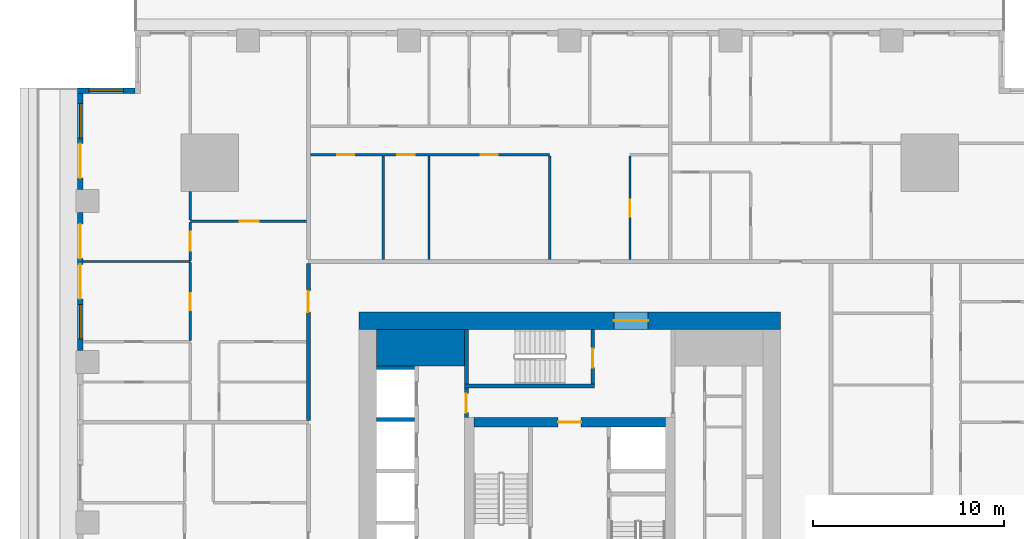
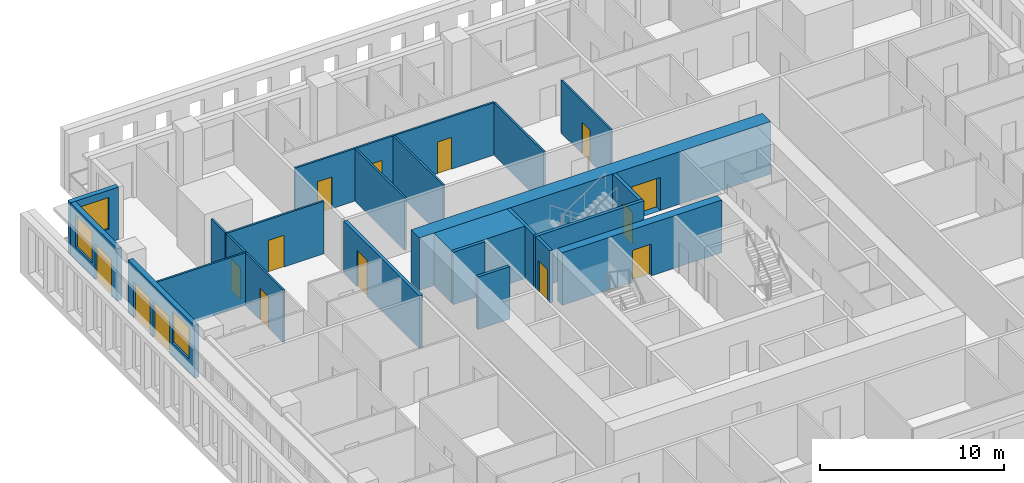
# One storey, part 7 of 15: 23 walls, 15 doors, 3 windows, 18 openings.
"""IFC4 building model written with IfcOpenShell, lengths in metres."""

from ifc_helpers import new_model, si_unit, direction, frame, frame_2d, origin, place, context, subcontext, project, spatial, rectangle, extrude, material, layer, layer_set, type_object, element, fill, save


model = new_model("IFC4")

# Units and contexts
model_context = context("Model", 3, precision=1e-05, world=origin(), true_north=direction((0.0, 1.0)))
body_context = subcontext(model_context, "Body", "Model", "MODEL_VIEW")
ifc_project = project(units=[si_unit("LENGTHUNIT", "METRE"), si_unit("AREAUNIT", "SQUARE_METRE"), si_unit("VOLUMEUNIT", "CUBIC_METRE"), si_unit("PLANEANGLEUNIT", "RADIAN"), si_unit("MASSUNIT", "GRAM", prefix="KILO")], contexts=[model_context])

# Site, building, storey
site_placement = place(None, origin())
site = spatial("IfcSite", under=ifc_project, at=site_placement, CompositionType="ELEMENT")
building_placement = place(site_placement, origin())
building = spatial("IfcBuilding", under=site, at=building_placement, Name="Khepri Terraces", CompositionType="ELEMENT")
storey_placement = place(building_placement, frame((0.0, 0.0, 54.300048828125)))
storey = spatial("IfcBuildingStorey", under=building, at=storey_placement, Name="L12", CompositionType="ELEMENT", Elevation=54.300048828125)

# Walls
ifc_material_1 = material(Name="Concrete C80/95", Category="concrete")
ifc_layer_1 = layer(ifc_material_1, 1.89990234375, Name="Concrete C80/95", Category="concrete")
ifc_layer_set_1 = layer_set([ifc_layer_1], Name="Concrete C80/95")
wall_type_1 = type_object("IfcWallType", Name="Core wall 1900 C80/95", PredefinedType="SHEAR", material=ifc_layer_set_1)
wall_1_placement = place(storey_placement, frame((-10.10009765625, 9.14990234375, 0.0), z_axis=(0.0, 0.0, 1.0), x_axis=(1.0, 0.0, 0.0)))
element("IfcWall", 1, at=wall_1_placement, inside=storey, type_object=wall_type_1, Name="Core wall PR03 L12", PredefinedType="SHEAR", context=body_context, shape_type="SweptSolid", body=[
    extrude(rectangle(XDim=4.60009765625, YDim=1.89990234375, at=frame_2d((2.300048828125, 0.0))), origin(), (0.0, 0.0, 1.0), 3.47998046875),
])
ifc_layer_2 = layer(ifc_material_1, 0.199951171875, Name="Concrete C80/95", Category="concrete")
ifc_layer_set_2 = layer_set([ifc_layer_2], Name="Concrete C80/95")
wall_type_2 = type_object("IfcWallType", Name="Core wall 200 C80/95", PredefinedType="SHEAR", material=ifc_layer_set_2)
wall_2_placement = place(storey_placement, frame((-5.5, 7.14990234375, 0.0), z_axis=(0.0, 0.0, 1.0), x_axis=(1.0, 0.0, 0.0)))
element("IfcWall", 2, at=wall_2_placement, inside=storey, type_object=wall_type_2, Name="Core wall ST05 L12", PredefinedType="SHEAR", context=body_context, shape_type="SweptSolid", body=[
    extrude(rectangle(XDim=6.800048828125, YDim=0.199951171875, at=frame_2d((3.39990234375, 0.0))), origin(), (0.0, 0.0, 1.0), 3.47998046875),
])
wall_3_placement = place(storey_placement, frame((-5.39990234375, 7.25, 0.0), z_axis=(0.0, 0.0, 1.0), x_axis=(0.0, 1.0, 0.0)))
element("IfcWall", 3, at=wall_3_placement, inside=storey, type_object=wall_type_2, Name="Core wall ST06 L12", PredefinedType="SHEAR", context=body_context, shape_type="SweptSolid", body=[
    extrude(rectangle(XDim=2.85009765625, YDim=0.199951171875, at=frame_2d((1.425048828125, 0.0))), origin(), (0.0, 0.0, 1.0), 3.47998046875),
])

# Wall, opening, door
wall_4_placement = place(storey_placement, frame((1.199951171875, 7.25, 0.0), z_axis=(0.0, 0.0, 1.0), x_axis=(0.0, 1.0, 0.0)))
wall_4 = element("IfcWall", 4, at=wall_4_placement, inside=storey, type_object=wall_type_2, Name="Core wall ST07 L12", PredefinedType="SHEAR", context=body_context, shape_type="SweptSolid", body=[
    extrude(rectangle(XDim=2.85009765625, YDim=0.199951171875, at=frame_2d((1.425048828125, 0.0))), origin(), (0.0, 0.0, 1.0), 3.47998046875),
])
opening_1_placement = place(wall_4_placement, frame((0.85009765625, 0.0, 0.0)))
opening_1 = element("IfcOpeningElement", 5, at=opening_1_placement, cuts=wall_4, Name="Opening L12-C15", PredefinedType="OPENING", context=body_context, shape_type="SweptSolid", body=[
    extrude(rectangle(XDim=1.0, YDim=2.10009765625, at=frame_2d((0.5, 1.050048828125))), frame((0.0, 0.10986328125, 0.0), z_axis=(0.0, -1.0, 0.0), x_axis=(1.0, 0.0, 0.0)), (0.0, 0.0, 1.0), 0.219970703125),
])
ifc_material_2 = material(Name="Painted steel", Category="steel")
door_type_1 = type_object("IfcDoorType", Name="DR-CORE-STAIR-1000", OperationType="NOTDEFINED", PredefinedType="DOOR", material=ifc_material_2)
door_1_placement = place(opening_1_placement, origin())
door_1 = element("IfcDoor", 6, at=door_1_placement, inside=storey, type_object=door_type_1, Name="Stair door L12-C15", OperationType="SINGLE_SWING_LEFT", OverallHeight=2.10009765625, OverallWidth=1.0, PredefinedType="DOOR", context=body_context, shape_type="SweptSolid", body=[
    extrude(rectangle(XDim=1.0, YDim=2.10009765625, at=frame_2d((0.5, 1.050048828125))), frame((0.0, 0.02490234375, 0.0), z_axis=(0.0, -1.0, 0.0), x_axis=(1.0, 0.0, 0.0)), (0.0, 0.0, 1.0), 0.050048828125),
])
fill(opening_1, door_1)

# Walls
for number, where, z_axis, x_axis, name in (
    (7, (-10.10009765625, 5.39990234375, 0.0), (0.0, 0.0, 1.0), (1.0, 0.0, 0.0), "Core wall SH19 L12"),
    (8, (-10.10009765625, 8.10009765625, 0.0), (0.0, 0.0, 1.0), (1.0, 0.0, 0.0), "Core wall SH20 L12"),
):
    element("IfcWall", number, at=place(storey_placement, frame(where, z_axis=z_axis, x_axis=x_axis)), inside=storey, type_object=wall_type_2, Name=name, PredefinedType="SHEAR", context=body_context, shape_type="SweptSolid", body=[
        extrude(rectangle(XDim=2.0, YDim=0.199951171875, at=frame_2d((1.0, 0.0))), origin(), (0.0, 0.0, 1.0), 3.47998046875),
    ])

# Wall, opening, door
ifc_layer_3 = layer(ifc_material_1, 0.5, Name="Concrete C80/95", Category="concrete")
ifc_layer_set_3 = layer_set([ifc_layer_3], Name="Concrete C80/95")
wall_type_3 = type_object("IfcWallType", Name="Core wall 500 C80/95", PredefinedType="SHEAR", material=ifc_layer_set_3)
wall_5_placement = place(storey_placement, frame((-5.0, 5.25, 0.0), z_axis=(0.0, 0.0, 1.0), x_axis=(1.0, 0.0, 0.0)))
wall_5 = element("IfcWall", 9, at=wall_5_placement, inside=storey, type_object=wall_type_3, Name="Core wall BX04 L12", PredefinedType="SHEAR", context=body_context, shape_type="SweptSolid", body=[
    extrude(rectangle(XDim=10.0, YDim=0.5, at=frame_2d((5.0, 0.0))), origin(), (0.0, 0.0, 1.0), 3.47998046875),
])
opening_2_placement = place(wall_5_placement, frame((4.39990234375, 0.0, 0.0)))
opening_2 = element("IfcOpeningElement", 10, at=opening_2_placement, cuts=wall_5, Name="Opening L12-C13", PredefinedType="OPENING", context=body_context, shape_type="SweptSolid", body=[
    extrude(rectangle(XDim=1.199951171875, YDim=2.10009765625, at=frame_2d((0.60009765625, 1.050048828125))), frame((0.0, 0.260009765625, 0.0), z_axis=(0.0, -1.0, 0.0), x_axis=(1.0, 0.0, 0.0)), (0.0, 0.0, 1.0), 0.52001953125),
])
door_type_2 = type_object("IfcDoorType", Name="DR-CORE-FF-LOBBY-1200", OperationType="NOTDEFINED", PredefinedType="DOOR", material=ifc_material_2)
door_2_placement = place(opening_2_placement, frame((1.199951171875, 0.0, 0.0), z_axis=(0.0, 0.0, 1.0), x_axis=(-1.0, 0.0, 0.0)))
door_2 = element("IfcDoor", 11, at=door_2_placement, inside=storey, type_object=door_type_2, Name="Firefighting lobby door L12-C13", OperationType="SINGLE_SWING_LEFT", OverallHeight=2.10009765625, OverallWidth=1.199951171875, PredefinedType="DOOR", context=body_context, shape_type="SweptSolid", body=[
    extrude(rectangle(XDim=1.199951171875, YDim=2.10009765625, at=frame_2d((0.60009765625, 1.050048828125))), frame((0.0, 0.02490234375, 0.0), z_axis=(0.0, -1.0, 0.0), x_axis=(1.0, 0.0, 0.0)), (0.0, 0.0, 1.0), 0.050048828125),
])
fill(opening_2, door_2)

ifc_layer_4 = layer(ifc_material_1, 0.89990234375, Name="Concrete C80/95", Category="concrete")
ifc_layer_set_4 = layer_set([ifc_layer_4], Name="Concrete C80/95")
wall_type_4 = type_object("IfcWallType", Name="Core wall 900 C80/95", PredefinedType="SHEAR", material=ifc_layer_set_4)
wall_6_placement = place(storey_placement, frame((-11.0, 10.550048828125, 0.0), z_axis=(0.0, 0.0, 1.0), x_axis=(1.0, 0.0, 0.0)))
wall_6 = element("IfcWall", 12, at=wall_6_placement, inside=storey, type_object=wall_type_4, Name="Core wall OW-N L12", PredefinedType="SHEAR", context=body_context, shape_type="SweptSolid", body=[
    extrude(rectangle(XDim=22.0, YDim=0.89990234375, at=frame_2d((11.0, 0.0))), origin(), (0.0, 0.0, 1.0), 3.47998046875),
])
opening_3_placement = place(wall_6_placement, frame((13.300048828125, 0.0, 0.0)))
opening_3 = element("IfcOpeningElement", 13, at=opening_3_placement, cuts=wall_6, Name="Opening L12-C20", PredefinedType="OPENING", context=body_context, shape_type="SweptSolid", body=[
    extrude(rectangle(XDim=1.800048828125, YDim=2.199951171875, at=frame_2d((0.89990234375, 1.10009765625))), frame((0.0, 0.4599609375, 0.0), z_axis=(0.0, -1.0, 0.0), x_axis=(1.0, 0.0, 0.0)), (0.0, 0.0, 1.0), 0.919921875),
])
door_type_3 = type_object("IfcDoorType", Name="DR-CORE-ENTRANCE-1800", OperationType="NOTDEFINED", PredefinedType="DOOR", material=ifc_material_2)
door_3_placement = place(opening_3_placement, origin())
door_3 = element("IfcDoor", 14, at=door_3_placement, inside=storey, type_object=door_type_3, Name="Core entrance door pair L12-C20", OperationType="DOUBLE_DOOR_SINGLE_SWING", OverallHeight=2.199951171875, OverallWidth=1.800048828125, PredefinedType="DOOR", context=body_context, shape_type="SweptSolid", body=[
    extrude(rectangle(XDim=1.800048828125, YDim=2.199951171875, at=frame_2d((0.89990234375, 1.10009765625))), frame((0.0, 0.02490234375, 0.0), z_axis=(0.0, -1.0, 0.0), x_axis=(1.0, 0.0, 0.0)), (0.0, 0.0, 1.0), 0.050048828125),
])
fill(opening_3, door_3)

ifc_material_3 = material(Name="Fire-rated gypsum board partition")
ifc_layer_5 = layer(ifc_material_3, 0.199951171875, Name="Fire-rated gypsum board partition")
ifc_layer_set_5 = layer_set([ifc_layer_5], Name="Fire-rated gypsum board partition")
wall_type_5 = type_object("IfcWallType", Name="WL-CORE-PART-200", PredefinedType="PARTITIONING", material=ifc_layer_set_5)
wall_7_placement = place(storey_placement, frame((-5.39990234375, 5.5, 0.0), z_axis=(0.0, 0.0, 1.0), x_axis=(0.0, 1.0, 0.0)))
wall_7 = element("IfcWall", 15, at=wall_7_placement, inside=storey, type_object=wall_type_5, Name="Core partition PT08 L12", PredefinedType="PARTITIONING", context=body_context, shape_type="SweptSolid", body=[
    extrude(rectangle(XDim=1.550048828125, YDim=0.199951171875, at=frame_2d((0.77490234375, 0.0))), origin(), (0.0, 0.0, 1.0), 3.47998046875),
])
opening_4_placement = place(wall_7_placement, frame((0.25, 0.0, 0.0)))
opening_4 = element("IfcOpeningElement", 16, at=opening_4_placement, cuts=wall_7, Name="Opening L12-C16", PredefinedType="OPENING", context=body_context, shape_type="SweptSolid", body=[
    extrude(rectangle(XDim=1.0, YDim=2.10009765625, at=frame_2d((0.5, 1.050048828125))), frame((0.0, 0.10986328125, 0.0), z_axis=(0.0, -1.0, 0.0), x_axis=(1.0, 0.0, 0.0)), (0.0, 0.0, 1.0), 0.219970703125),
])
door_type_4 = type_object("IfcDoorType", Name="DR-CORE-LOBBY-1000", OperationType="NOTDEFINED", PredefinedType="DOOR", material=ifc_material_2)
door_4_placement = place(opening_4_placement, frame((1.0, 0.0, 0.0), z_axis=(0.0, 0.0, 1.0), x_axis=(-1.0, 0.0, 0.0)))
door_4 = element("IfcDoor", 17, at=door_4_placement, inside=storey, type_object=door_type_4, Name="Lobby door L12-C16", OperationType="SINGLE_SWING_RIGHT", OverallHeight=2.10009765625, OverallWidth=1.0, PredefinedType="DOOR", context=body_context, shape_type="SweptSolid", body=[
    extrude(rectangle(XDim=1.0, YDim=2.10009765625, at=frame_2d((0.5, 1.050048828125))), frame((0.0, 0.02490234375, 0.0), z_axis=(0.0, -1.0, 0.0), x_axis=(1.0, 0.0, 0.0)), (0.0, 0.0, 1.0), 0.050048828125),
])
fill(opening_4, door_4)

ifc_material_4 = material(Name="Fire-rated gypsum plasterboard partition, mineral wool")
ifc_layer_6 = layer(ifc_material_4, 0.199951171875, Name="Fire-rated gypsum plasterboard partition, mineral wool")
ifc_layer_set_6 = layer_set([ifc_layer_6], Name="Fire-rated gypsum plasterboard partition, mineral wool")
wall_type_6 = type_object("IfcWallType", Name="WL-CORR-200", PredefinedType="PARTITIONING", material=ifc_layer_set_6)
wall_8_placement = place(storey_placement, frame((-13.64990234375, 5.35009765625, 0.0), z_axis=(0.0, 0.0, 1.0), x_axis=(0.0, 1.0, 0.0)))
wall_8 = element("IfcWall", 18, at=wall_8_placement, inside=storey, type_object=wall_type_6, Name="Partition P-065 L12", PredefinedType="PARTITIONING", context=body_context, shape_type="SweptSolid", body=[
    extrude(rectangle(XDim=8.199951171875, YDim=0.199951171875, at=frame_2d((4.10009765625, 0.0))), origin(), (0.0, 0.0, 1.0), 3.47998046875),
])
opening_5_placement = place(wall_8_placement, frame((5.64990234375, 0.0, 0.0)))
opening_5 = element("IfcOpeningElement", 19, at=opening_5_placement, cuts=wall_8, Name="Opening D1", PredefinedType="OPENING", context=body_context, shape_type="SweptSolid", body=[
    extrude(rectangle(XDim=1.10009765625, YDim=2.39990234375, at=frame_2d((0.550048828125, 1.199951171875))), frame((0.0, 0.10986328125, 0.0), z_axis=(0.0, -1.0, 0.0), x_axis=(1.0, 0.0, 0.0)), (0.0, 0.0, 1.0), 0.219970703125),
])
ifc_material_5 = material(Name="Solid-core timber door leaf, flat entrance door", Category="wood")
door_type_5 = type_object("IfcDoorType", Name="DR-ENT-1100", OperationType="NOTDEFINED", PredefinedType="DOOR", material=ifc_material_5)
door_5_placement = place(opening_5_placement, origin())
door_5 = element("IfcDoor", 20, at=door_5_placement, inside=storey, type_object=door_type_5, Name="Flat D1 entrance door", OperationType="SINGLE_SWING_RIGHT", OverallHeight=2.39990234375, OverallWidth=1.10009765625, PredefinedType="DOOR", context=body_context, shape_type="SweptSolid", body=[
    extrude(rectangle(XDim=1.10009765625, YDim=2.39990234375, at=frame_2d((0.550048828125, 1.199951171875))), frame((0.0, 0.02490234375, 0.0), z_axis=(0.0, -1.0, 0.0), x_axis=(1.0, 0.0, 0.0)), (0.0, 0.0, 1.0), 0.050048828125),
])
fill(opening_5, door_5)

# Wall, opening, window
ifc_material_6 = material(Name="Precast concrete C50/60 warm stone", Category="masonry")
ifc_layer_7 = layer(ifc_material_6, 0.300048828125, Name="Precast concrete C50/60 warm stone", Category="masonry")
ifc_layer_set_7 = layer_set([ifc_layer_7], Name="Precast concrete C50/60 warm stone")
wall_type_7 = type_object("IfcWallType", Name="WL-EXT-PRECAST-300", PredefinedType="STANDARD", material=ifc_layer_set_7)
wall_9_placement = place(storey_placement, frame((-22.719970703125, 22.570068359375, 0.0), z_axis=(0.0, 0.0, 1.0), x_axis=(-1.0, 0.0, 0.0)))
wall_9 = element("IfcWall", 21, at=wall_9_placement, inside=storey, type_object=wall_type_7, Name="External wall L12 N", PredefinedType="STANDARD", context=body_context, shape_type="SweptSolid", body=[
    extrude(rectangle(XDim=3.0, YDim=0.300048828125, at=frame_2d((1.5, 0.0))), origin(), (0.0, 0.0, 1.0), 3.47998046875),
])
opening_6_placement = place(wall_9_placement, frame((0.60009765625, 0.0, 0.89990234375)))
opening_6 = element("IfcOpeningElement", 22, at=opening_6_placement, cuts=wall_9, Name="Opening W1", PredefinedType="OPENING", context=body_context, shape_type="SweptSolid", body=[
    extrude(rectangle(XDim=1.800048828125, YDim=2.10009765625, at=frame_2d((0.89990234375, 1.050048828125))), frame((0.0, 0.16015625, 0.0), z_axis=(0.0, -1.0, 0.0), x_axis=(1.0, 0.0, 0.0)), (0.0, 0.0, 1.0), 0.320068359375),
])
ifc_material_7 = material(Name="Clear glass", Category="glass")
window_type = type_object("IfcWindowType", Name="WIN-RES-1800x2100", PartitioningType="SINGLE_PANEL", PredefinedType="WINDOW", material=ifc_material_7)
window_1_placement = place(opening_6_placement, origin())
window_1 = element("IfcWindow", 23, at=window_1_placement, inside=storey, type_object=window_type, Name="Window L12 N", OverallHeight=2.10009765625, OverallWidth=1.800048828125, PartitioningType="SINGLE_PANEL", PredefinedType="WINDOW", context=body_context, shape_type="SweptSolid", body=[
    extrude(rectangle(XDim=1.800048828125, YDim=2.10009765625, at=frame_2d((0.89990234375, 1.050048828125))), frame((0.0, 0.030029296875, 0.0), z_axis=(0.0, -1.0, 0.0), x_axis=(1.0, 0.0, 0.0)), (0.0, 0.0, 1.0), 0.06005859375),
])
fill(opening_6, window_1)

# Wall, openings, door, window
wall_10_placement = place(storey_placement, frame((-25.570068359375, 22.419921875, 0.0), z_axis=(0.0, 0.0, 1.0), x_axis=(0.0, -1.0, 0.0)))
wall_10 = element("IfcWall", 24, at=wall_10_placement, inside=storey, type_object=wall_type_7, Name="External wall L12 W", PredefinedType="STANDARD", context=body_context, shape_type="SweptSolid", body=[
    extrude(rectangle(XDim=5.02001953125, YDim=0.300048828125, at=frame_2d((2.510009765625, 0.0))), origin(), (0.0, 0.0, 1.0), 3.47998046875),
])
opening_7_placement = place(wall_10_placement, frame((0.52001953125, 0.0, 0.89990234375)))
opening_7 = element("IfcOpeningElement", 25, at=opening_7_placement, cuts=wall_10, Name="Opening W1", PredefinedType="OPENING", context=body_context, shape_type="SweptSolid", body=[
    extrude(rectangle(XDim=1.800048828125, YDim=2.10009765625, at=frame_2d((0.89990234375, 1.050048828125))), frame((0.0, 0.16015625, 0.0), z_axis=(0.0, -1.0, 0.0), x_axis=(1.0, 0.0, 0.0)), (0.0, 0.0, 1.0), 0.320068359375),
])
opening_8_placement = place(wall_10_placement, frame((2.6201171875, 0.0, 0.0)))
opening_8 = element("IfcOpeningElement", 26, at=opening_8_placement, cuts=wall_10, Name="Opening ED-L12-11", PredefinedType="OPENING", context=body_context, shape_type="SweptSolid", body=[
    extrude(rectangle(XDim=1.800048828125, YDim=2.39990234375, at=frame_2d((0.89990234375, 1.199951171875))), frame((0.0, 0.16015625, 0.0), z_axis=(0.0, -1.0, 0.0), x_axis=(1.0, 0.0, 0.0)), (0.0, 0.0, 1.0), 0.320068359375),
])
ifc_material_8 = material(Name="Anodised aluminium bronze glazed door", Category="aluminium")
door_type_6 = type_object("IfcDoorType", Name="DR-BAL-SLIDE-1800x2400", OperationType="NOTDEFINED", PredefinedType="DOOR", material=ifc_material_8)
door_6_placement = place(opening_8_placement, origin())
door_6 = element("IfcDoor", 27, at=door_6_placement, inside=storey, type_object=door_type_6, Name="Balcony door L12 W", OperationType="SLIDING_TO_RIGHT", OverallHeight=2.39990234375, OverallWidth=1.800048828125, PredefinedType="DOOR", context=body_context, shape_type="SweptSolid", body=[
    extrude(rectangle(XDim=1.800048828125, YDim=2.39990234375, at=frame_2d((0.89990234375, 1.199951171875))), frame((0.0, 0.02490234375, 0.0), z_axis=(0.0, -1.0, 0.0), x_axis=(1.0, 0.0, 0.0)), (0.0, 0.0, 1.0), 0.050048828125),
])
fill(opening_8, door_6)
window_2_placement = place(opening_7_placement, origin())
window_2 = element("IfcWindow", 28, at=window_2_placement, inside=storey, type_object=window_type, Name="Window L12 W", OverallHeight=2.10009765625, OverallWidth=1.800048828125, PartitioningType="SINGLE_PANEL", PredefinedType="WINDOW", context=body_context, shape_type="SweptSolid", body=[
    extrude(rectangle(XDim=1.800048828125, YDim=2.10009765625, at=frame_2d((0.89990234375, 1.050048828125))), frame((0.0, 0.030029296875, 0.0), z_axis=(0.0, -1.0, 0.0), x_axis=(1.0, 0.0, 0.0)), (0.0, 0.0, 1.0), 0.06005859375),
])
fill(opening_7, window_2)

# Wall, openings, doors, window
wall_11_placement = place(storey_placement, frame((-25.570068359375, 16.199951171875, 0.0), z_axis=(0.0, 0.0, 1.0), x_axis=(0.0, -1.0, 0.0)))
wall_11 = element("IfcWall", 29, at=wall_11_placement, inside=storey, type_object=wall_type_7, Name="External wall L12 W", PredefinedType="STANDARD", context=body_context, shape_type="SweptSolid", body=[
    extrude(rectangle(XDim=7.199951171875, YDim=0.300048828125, at=frame_2d((3.60009765625, 0.0))), origin(), (0.0, 0.0, 1.0), 3.47998046875),
])
opening_9_placement = place(wall_11_placement, frame((0.60009765625, 0.0, 0.0)))
opening_9 = element("IfcOpeningElement", 30, at=opening_9_placement, cuts=wall_11, Name="Opening ED-L12-12", PredefinedType="OPENING", context=body_context, shape_type="SweptSolid", body=[
    extrude(rectangle(XDim=1.800048828125, YDim=2.39990234375, at=frame_2d((0.89990234375, 1.199951171875))), frame((0.0, 0.16015625, 0.0), z_axis=(0.0, -1.0, 0.0), x_axis=(1.0, 0.0, 0.0)), (0.0, 0.0, 1.0), 0.320068359375),
])
opening_10_placement = place(wall_11_placement, frame((2.699951171875, 0.0, 0.0)))
opening_10 = element("IfcOpeningElement", 31, at=opening_10_placement, cuts=wall_11, Name="Opening ED-L12-13", PredefinedType="OPENING", context=body_context, shape_type="SweptSolid", body=[
    extrude(rectangle(XDim=1.800048828125, YDim=2.39990234375, at=frame_2d((0.89990234375, 1.199951171875))), frame((0.0, 0.16015625, 0.0), z_axis=(0.0, -1.0, 0.0), x_axis=(1.0, 0.0, 0.0)), (0.0, 0.0, 1.0), 0.320068359375),
])
opening_11_placement = place(wall_11_placement, frame((4.800048828125, 0.0, 0.89990234375)))
opening_11 = element("IfcOpeningElement", 32, at=opening_11_placement, cuts=wall_11, Name="Opening W1", PredefinedType="OPENING", context=body_context, shape_type="SweptSolid", body=[
    extrude(rectangle(XDim=1.800048828125, YDim=2.10009765625, at=frame_2d((0.89990234375, 1.050048828125))), frame((0.0, 0.16015625, 0.0), z_axis=(0.0, -1.0, 0.0), x_axis=(1.0, 0.0, 0.0)), (0.0, 0.0, 1.0), 0.320068359375),
])
door_7_placement = place(opening_9_placement, origin())
door_7 = element("IfcDoor", 33, at=door_7_placement, inside=storey, type_object=door_type_6, Name="Balcony door L12 W", OperationType="SLIDING_TO_LEFT", OverallHeight=2.39990234375, OverallWidth=1.800048828125, PredefinedType="DOOR", context=body_context, shape_type="SweptSolid", body=[
    extrude(rectangle(XDim=1.800048828125, YDim=2.39990234375, at=frame_2d((0.89990234375, 1.199951171875))), frame((0.0, 0.02490234375, 0.0), z_axis=(0.0, -1.0, 0.0), x_axis=(1.0, 0.0, 0.0)), (0.0, 0.0, 1.0), 0.050048828125),
])
fill(opening_9, door_7)
door_8_placement = place(opening_10_placement, origin())
door_8 = element("IfcDoor", 34, at=door_8_placement, inside=storey, type_object=door_type_6, Name="Balcony door L12 W", OperationType="SLIDING_TO_RIGHT", OverallHeight=2.39990234375, OverallWidth=1.800048828125, PredefinedType="DOOR", context=body_context, shape_type="SweptSolid", body=[
    extrude(rectangle(XDim=1.800048828125, YDim=2.39990234375, at=frame_2d((0.89990234375, 1.199951171875))), frame((0.0, 0.02490234375, 0.0), z_axis=(0.0, -1.0, 0.0), x_axis=(1.0, 0.0, 0.0)), (0.0, 0.0, 1.0), 0.050048828125),
])
fill(opening_10, door_8)
window_3_placement = place(opening_11_placement, origin())
window_3 = element("IfcWindow", 35, at=window_3_placement, inside=storey, type_object=window_type, Name="Window L12 W", OverallHeight=2.10009765625, OverallWidth=1.800048828125, PartitioningType="SINGLE_PANEL", PredefinedType="WINDOW", context=body_context, shape_type="SweptSolid", body=[
    extrude(rectangle(XDim=1.800048828125, YDim=2.10009765625, at=frame_2d((0.89990234375, 1.050048828125))), frame((0.0, 0.030029296875, 0.0), z_axis=(0.0, -1.0, 0.0), x_axis=(1.0, 0.0, 0.0)), (0.0, 0.0, 1.0), 0.06005859375),
])
fill(opening_11, window_3)

# Wall, opening, door
ifc_material_9 = material(Name="Gypsum plasterboard partition")
ifc_layer_8 = layer(ifc_material_9, 0.1201171875, Name="Gypsum plasterboard partition")
ifc_layer_set_8 = layer_set([ifc_layer_8], Name="Gypsum plasterboard partition")
wall_type_8 = type_object("IfcWallType", Name="WL-PART-120", PredefinedType="PARTITIONING", material=ifc_layer_set_8)
wall_12_placement = place(storey_placement, frame((-19.820068359375, 9.510009765625, 0.0), z_axis=(0.0, 0.0, 1.0), x_axis=(0.0, 1.0, 0.0)))
wall_12 = element("IfcWall", 36, at=wall_12_placement, inside=storey, type_object=wall_type_8, Name="Partition P-076 L12", PredefinedType="PARTITIONING", context=body_context, shape_type="SweptSolid", body=[
    extrude(rectangle(XDim=4.080078125, YDim=0.1201171875, at=frame_2d((2.0400390625, 0.0))), origin(), (0.0, 0.0, 1.0), 3.47998046875),
])
opening_12_placement = place(wall_12_placement, frame((1.590087890625, 0.0, 0.0)))
opening_12 = element("IfcOpeningElement", 37, at=opening_12_placement, cuts=wall_12, Name="Opening D3", PredefinedType="OPENING", context=body_context, shape_type="SweptSolid", body=[
    extrude(rectangle(XDim=0.89990234375, YDim=2.10009765625, at=frame_2d((0.449951171875, 1.050048828125))), frame((0.0, 0.070068359375, 0.0), z_axis=(0.0, -1.0, 0.0), x_axis=(1.0, 0.0, 0.0)), (0.0, 0.0, 1.0), 0.14013671875),
])
ifc_material_10 = material(Name="Timber door leaf", Category="wood")
door_type_7 = type_object("IfcDoorType", Name="DR-INT-900", OperationType="NOTDEFINED", PredefinedType="DOOR", material=ifc_material_10)
door_9_placement = place(opening_12_placement, origin())
door_9 = element("IfcDoor", 38, at=door_9_placement, inside=storey, type_object=door_type_7, Name="Door Master Bedroom", OperationType="SINGLE_SWING_RIGHT", OverallHeight=2.10009765625, OverallWidth=0.89990234375, PredefinedType="DOOR", context=body_context, shape_type="SweptSolid", body=[
    extrude(rectangle(XDim=0.89990234375, YDim=2.10009765625, at=frame_2d((0.449951171875, 1.050048828125))), frame((0.0, 0.02490234375, 0.0), z_axis=(0.0, -1.0, 0.0), x_axis=(1.0, 0.0, 0.0)), (0.0, 0.0, 1.0), 0.050048828125),
])
fill(opening_12, door_9)

# Wall
wall_13_placement = place(storey_placement, frame((-25.419921875, 13.64990234375, 0.0), z_axis=(0.0, 0.0, 1.0), x_axis=(1.0, 0.0, 0.0)))
element("IfcWall", 39, at=wall_13_placement, inside=storey, type_object=wall_type_8, Name="Partition P-081 L12", PredefinedType="PARTITIONING", context=body_context, shape_type="SweptSolid", body=[
    extrude(rectangle(XDim=5.599853515625, YDim=0.1201171875, at=frame_2d((2.7998046875, 0.0))), origin(), (0.0, 0.0, 1.0), 3.47998046875),
])

# Wall, opening, door
wall_14_placement = place(storey_placement, frame((-19.820068359375, 13.7099609375, 0.0), z_axis=(0.0, 0.0, 1.0), x_axis=(0.0, 1.0, 0.0)))
wall_14 = element("IfcWall", 40, at=wall_14_placement, inside=storey, type_object=wall_type_8, Name="Partition P-083 L12", PredefinedType="PARTITIONING", context=body_context, shape_type="SweptSolid", body=[
    extrude(rectangle(XDim=1.97998046875, YDim=0.1201171875, at=frame_2d((0.989990234375, 0.0))), origin(), (0.0, 0.0, 1.0), 3.47998046875),
])
opening_13_placement = place(wall_14_placement, frame((0.489990234375, 0.0, 0.0)))
opening_13 = element("IfcOpeningElement", 41, at=opening_13_placement, cuts=wall_14, Name="Opening D2", PredefinedType="OPENING", context=body_context, shape_type="SweptSolid", body=[
    extrude(rectangle(XDim=1.0, YDim=2.10009765625, at=frame_2d((0.5, 1.050048828125))), frame((0.0, 0.070068359375, 0.0), z_axis=(0.0, -1.0, 0.0), x_axis=(1.0, 0.0, 0.0)), (0.0, 0.0, 1.0), 0.14013671875),
])
ifc_material_11 = material(Name="Timber door leaf, living room door", Category="wood")
door_type_8 = type_object("IfcDoorType", Name="DR-INT-1000", OperationType="NOTDEFINED", PredefinedType="DOOR", material=ifc_material_11)
door_10_placement = place(opening_13_placement, origin())
door_10 = element("IfcDoor", 42, at=door_10_placement, inside=storey, type_object=door_type_8, Name="Door Living Room", OperationType="SINGLE_SWING_LEFT", OverallHeight=2.10009765625, OverallWidth=1.0, PredefinedType="DOOR", context=body_context, shape_type="SweptSolid", body=[
    extrude(rectangle(XDim=1.0, YDim=2.10009765625, at=frame_2d((0.5, 1.050048828125))), frame((0.0, 0.02490234375, 0.0), z_axis=(0.0, -1.0, 0.0), x_axis=(1.0, 0.0, 0.0)), (0.0, 0.0, 1.0), 0.050048828125),
])
fill(opening_13, door_10)

# Walls
for number, where, z_axis, x_axis, name in (
    (43, (-9.75, 13.75, 0.0), (0.0, 0.0, 1.0), (0.0, 1.0, 0.0), "Partition P-085 L12"),
    (44, (-7.35009765625, 13.75, 0.0), (0.0, 0.0, 1.0), (0.0, 1.0, 0.0), "Partition P-086 L12"),
    (45, (-1.050048828125, 13.75, 0.0), (0.0, 0.0, 1.0), (0.0, 1.0, 0.0), "Partition P-087 L12"),
):
    element("IfcWall", number, at=place(storey_placement, frame(where, z_axis=z_axis, x_axis=x_axis)), inside=storey, type_object=wall_type_8, Name=name, PredefinedType="PARTITIONING", context=body_context, shape_type="SweptSolid", body=[
        extrude(rectangle(XDim=5.409912109375, YDim=0.1201171875, at=frame_2d((2.705078125, 0.0))), origin(), (0.0, 0.0, 1.0), 3.47998046875),
    ])

# Wall, opening, door
wall_15_placement = place(storey_placement, frame((3.14990234375, 13.75, 0.0), z_axis=(0.0, 0.0, 1.0), x_axis=(0.0, 1.0, 0.0)))
wall_15 = element("IfcWall", 46, at=wall_15_placement, inside=storey, type_object=wall_type_8, Name="Partition P-088 L12", PredefinedType="PARTITIONING", context=body_context, shape_type="SweptSolid", body=[
    extrude(rectangle(XDim=5.409912109375, YDim=0.1201171875, at=frame_2d((2.705078125, 0.0))), origin(), (0.0, 0.0, 1.0), 3.47998046875),
])
opening_14_placement = place(wall_15_placement, frame((2.235107421875, 0.0, 0.0)))
opening_14 = element("IfcOpeningElement", 47, at=opening_14_placement, cuts=wall_15, Name="Opening D3", PredefinedType="OPENING", context=body_context, shape_type="SweptSolid", body=[
    extrude(rectangle(XDim=0.89990234375, YDim=2.10009765625, at=frame_2d((0.449951171875, 1.050048828125))), frame((0.0, 0.070068359375, 0.0), z_axis=(0.0, -1.0, 0.0), x_axis=(1.0, 0.0, 0.0)), (0.0, 0.0, 1.0), 0.14013671875),
])
door_11_placement = place(opening_14_placement, frame((0.89990234375, 0.0, 0.0), z_axis=(0.0, 0.0, 1.0), x_axis=(-1.0, 0.0, 0.0)))
door_11 = element("IfcDoor", 48, at=door_11_placement, inside=storey, type_object=door_type_7, Name="Door Utility Room", OperationType="SINGLE_SWING_RIGHT", OverallHeight=2.10009765625, OverallWidth=0.89990234375, PredefinedType="DOOR", context=body_context, shape_type="SweptSolid", body=[
    extrude(rectangle(XDim=0.89990234375, YDim=2.10009765625, at=frame_2d((0.449951171875, 1.050048828125))), frame((0.0, 0.02490234375, 0.0), z_axis=(0.0, -1.0, 0.0), x_axis=(1.0, 0.0, 0.0)), (0.0, 0.0, 1.0), 0.050048828125),
])
fill(opening_14, door_11)

wall_16_placement = place(storey_placement, frame((-19.820068359375, 15.75, 0.0), z_axis=(0.0, 0.0, 1.0), x_axis=(1.0, 0.0, 0.0)))
wall_16 = element("IfcWall", 49, at=wall_16_placement, inside=storey, type_object=wall_type_8, Name="Partition P-093 L12", PredefinedType="PARTITIONING", context=body_context, shape_type="SweptSolid", body=[
    extrude(rectangle(XDim=6.070068359375, YDim=0.1201171875, at=frame_2d((3.03515625, 0.0))), origin(), (0.0, 0.0, 1.0), 3.47998046875),
])
opening_15_placement = place(wall_16_placement, frame((2.5849609375, 0.0, 0.0)))
opening_15 = element("IfcOpeningElement", 50, at=opening_15_placement, cuts=wall_16, Name="Opening D2", PredefinedType="OPENING", context=body_context, shape_type="SweptSolid", body=[
    extrude(rectangle(XDim=1.0, YDim=2.10009765625, at=frame_2d((0.5, 1.050048828125))), frame((0.0, 0.070068359375, 0.0), z_axis=(0.0, -1.0, 0.0), x_axis=(1.0, 0.0, 0.0)), (0.0, 0.0, 1.0), 0.14013671875),
])
door_12_placement = place(opening_15_placement, origin())
door_12 = element("IfcDoor", 51, at=door_12_placement, inside=storey, type_object=door_type_8, Name="Door Family Room", OperationType="SINGLE_SWING_RIGHT", OverallHeight=2.10009765625, OverallWidth=1.0, PredefinedType="DOOR", context=body_context, shape_type="SweptSolid", body=[
    extrude(rectangle(XDim=1.0, YDim=2.10009765625, at=frame_2d((0.5, 1.050048828125))), frame((0.0, 0.02490234375, 0.0), z_axis=(0.0, -1.0, 0.0), x_axis=(1.0, 0.0, 0.0)), (0.0, 0.0, 1.0), 0.050048828125),
])
fill(opening_15, door_12)

# Wall
wall_17_placement = place(storey_placement, frame((-19.820068359375, 15.81005859375, 0.0), z_axis=(0.0, 0.0, 1.0), x_axis=(0.0, 1.0, 0.0)))
element("IfcWall", 52, at=wall_17_placement, inside=storey, type_object=wall_type_8, Name="Partition P-094 L12", PredefinedType="PARTITIONING", context=body_context, shape_type="SweptSolid", body=[
    extrude(rectangle(XDim=1.489990234375, YDim=0.1201171875, at=frame_2d((0.7451171875, 0.0))), origin(), (0.0, 0.0, 1.0), 3.47998046875),
])

# Wall, openings, doors
wall_18_placement = place(storey_placement, frame((-13.550048828125, 19.219970703125, 0.0), z_axis=(0.0, 0.0, 1.0), x_axis=(1.0, 0.0, 0.0)))
wall_18 = element("IfcWall", 53, at=wall_18_placement, inside=storey, type_object=wall_type_8, Name="Partition P-096 L12", PredefinedType="PARTITIONING", context=body_context, shape_type="SweptSolid", body=[
    extrude(rectangle(XDim=12.5, YDim=0.1201171875, at=frame_2d((6.25, 0.0))), origin(), (0.0, 0.0, 1.0), 3.47998046875),
])
opening_16_placement = place(wall_18_placement, frame((8.89990234375, 0.0, 0.0)))
opening_16 = element("IfcOpeningElement", 54, at=opening_16_placement, cuts=wall_18, Name="Opening D3", PredefinedType="OPENING", context=body_context, shape_type="SweptSolid", body=[
    extrude(rectangle(XDim=0.89990234375, YDim=2.10009765625, at=frame_2d((0.449951171875, 1.050048828125))), frame((0.0, 0.070068359375, 0.0), z_axis=(0.0, -1.0, 0.0), x_axis=(1.0, 0.0, 0.0)), (0.0, 0.0, 1.0), 0.14013671875),
])
opening_17_placement = place(wall_18_placement, frame((4.550048828125, 0.0, 0.0)))
opening_17 = element("IfcOpeningElement", 55, at=opening_17_placement, cuts=wall_18, Name="Opening D4", PredefinedType="OPENING", context=body_context, shape_type="SweptSolid", body=[
    extrude(rectangle(XDim=0.89990234375, YDim=2.10009765625, at=frame_2d((0.449951171875, 1.050048828125))), frame((0.0, 0.070068359375, 0.0), z_axis=(0.0, -1.0, 0.0), x_axis=(1.0, 0.0, 0.0)), (0.0, 0.0, 1.0), 0.14013671875),
])
opening_18_placement = place(wall_18_placement, frame((1.39990234375, 0.0, 0.0)))
opening_18 = element("IfcOpeningElement", 56, at=opening_18_placement, cuts=wall_18, Name="Opening D4", PredefinedType="OPENING", context=body_context, shape_type="SweptSolid", body=[
    extrude(rectangle(XDim=0.89990234375, YDim=2.10009765625, at=frame_2d((0.449951171875, 1.050048828125))), frame((0.0, 0.070068359375, 0.0), z_axis=(0.0, -1.0, 0.0), x_axis=(1.0, 0.0, 0.0)), (0.0, 0.0, 1.0), 0.14013671875),
])
door_13_placement = place(opening_16_placement, frame((0.89990234375, 0.0, 0.0), z_axis=(0.0, 0.0, 1.0), x_axis=(-1.0, 0.0, 0.0)))
door_13 = element("IfcDoor", 57, at=door_13_placement, inside=storey, type_object=door_type_7, Name="Door Kitchen", OperationType="SINGLE_SWING_LEFT", OverallHeight=2.10009765625, OverallWidth=0.89990234375, PredefinedType="DOOR", context=body_context, shape_type="SweptSolid", body=[
    extrude(rectangle(XDim=0.89990234375, YDim=2.10009765625, at=frame_2d((0.449951171875, 1.050048828125))), frame((0.0, 0.02490234375, 0.0), z_axis=(0.0, -1.0, 0.0), x_axis=(1.0, 0.0, 0.0)), (0.0, 0.0, 1.0), 0.050048828125),
])
fill(opening_16, door_13)
ifc_material_12 = material(Name="Timber door leaf, moisture resistant", Category="wood")
door_type_9 = type_object("IfcDoorType", Name="DR-WET-900", OperationType="NOTDEFINED", PredefinedType="DOOR", material=ifc_material_12)
door_14_placement = place(opening_17_placement, frame((0.89990234375, 0.0, 0.0), z_axis=(0.0, 0.0, 1.0), x_axis=(-1.0, 0.0, 0.0)))
door_14 = element("IfcDoor", 58, at=door_14_placement, inside=storey, type_object=door_type_9, Name="Door Powder Room", OperationType="SINGLE_SWING_RIGHT", OverallHeight=2.10009765625, OverallWidth=0.89990234375, PredefinedType="DOOR", context=body_context, shape_type="SweptSolid", body=[
    extrude(rectangle(XDim=0.89990234375, YDim=2.10009765625, at=frame_2d((0.449951171875, 1.050048828125))), frame((0.0, 0.02490234375, 0.0), z_axis=(0.0, -1.0, 0.0), x_axis=(1.0, 0.0, 0.0)), (0.0, 0.0, 1.0), 0.050048828125),
])
fill(opening_17, door_14)
door_15_placement = place(opening_18_placement, frame((0.89990234375, 0.0, 0.0), z_axis=(0.0, 0.0, 1.0), x_axis=(-1.0, 0.0, 0.0)))
door_15 = element("IfcDoor", 59, at=door_15_placement, inside=storey, type_object=door_type_9, Name="Door Guest Bathroom", OperationType="SINGLE_SWING_RIGHT", OverallHeight=2.10009765625, OverallWidth=0.89990234375, PredefinedType="DOOR", context=body_context, shape_type="SweptSolid", body=[
    extrude(rectangle(XDim=0.89990234375, YDim=2.10009765625, at=frame_2d((0.449951171875, 1.050048828125))), frame((0.0, 0.02490234375, 0.0), z_axis=(0.0, -1.0, 0.0), x_axis=(1.0, 0.0, 0.0)), (0.0, 0.0, 1.0), 0.050048828125),
])
fill(opening_18, door_15)

save(model, "model.ifc")
